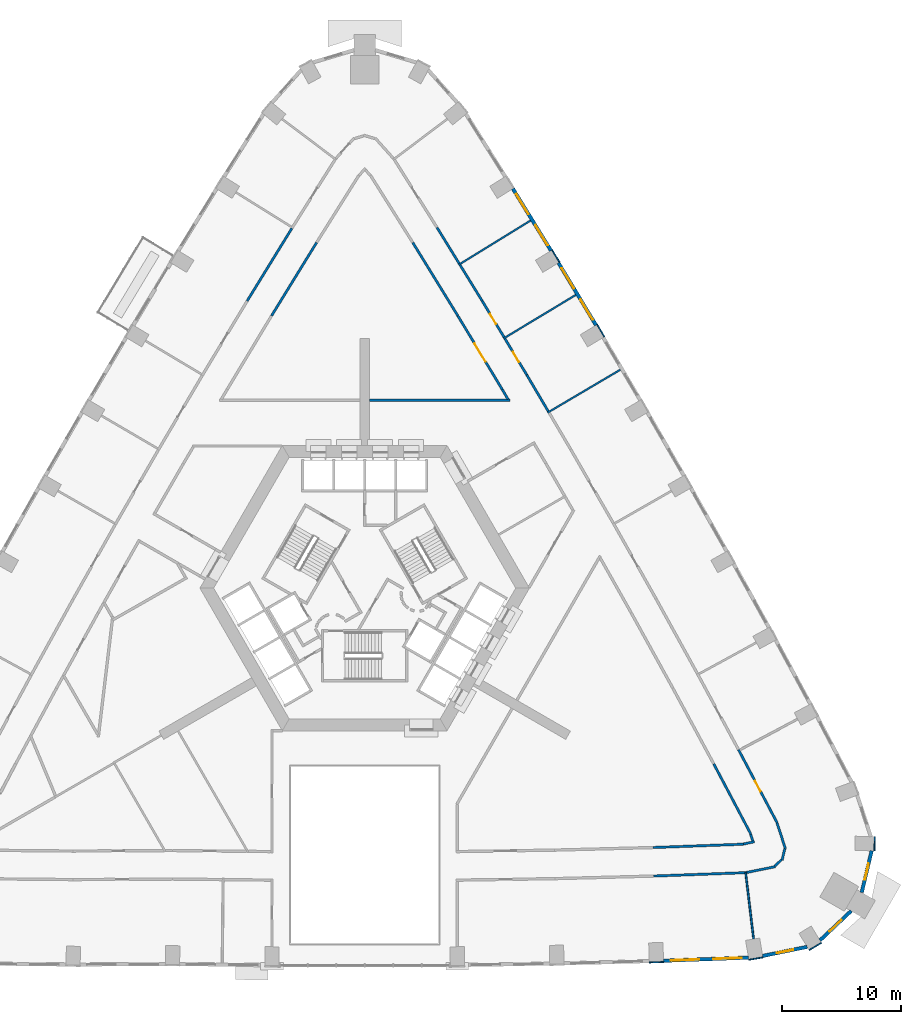
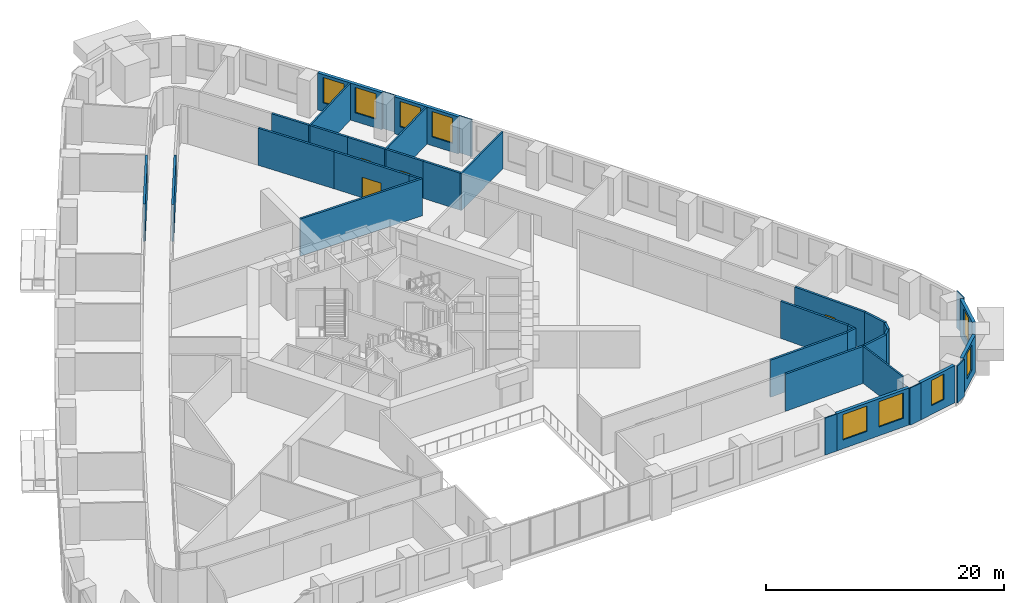
# One storey, part 10 of 16: 37 walls, 9 windows, 4 doors, 13 openings.
"""IFC4 building model written with IfcOpenShell, lengths in metres."""

from ifc_helpers import new_model, si_unit, direction, frame, frame_2d, origin, place, context, subcontext, project, spatial, rectangle, extrude, material, layer, layer_set, type_object, element, fill, save


model = new_model("IFC4")

# Units and contexts
model_context = context("Model", 3, precision=1e-05, world=origin(), true_north=direction((0.0, 1.0)))
body_context = subcontext(model_context, "Body", "Model", "MODEL_VIEW")
ifc_project = project(units=[si_unit("LENGTHUNIT", "METRE"), si_unit("AREAUNIT", "SQUARE_METRE"), si_unit("VOLUMEUNIT", "CUBIC_METRE"), si_unit("PLANEANGLEUNIT", "RADIAN"), si_unit("MASSUNIT", "GRAM", prefix="KILO")], contexts=[model_context])

# Site, building, storey
site_placement = place(None, origin())
site = spatial("IfcSite", under=ifc_project, at=site_placement, CompositionType="ELEMENT")
building_placement = place(site_placement, origin())
building = spatial("IfcBuilding", under=site, at=building_placement, Name="Entoto Arch Interchange Tower", CompositionType="ELEMENT")
storey_placement = place(building_placement, frame((0.0, 0.0, 68.60009765625)))
storey = spatial("IfcBuildingStorey", under=building, at=storey_placement, Name="L14", CompositionType="ELEMENT", Elevation=68.60009765625)

# Walls
ifc_material_1 = material(Name="Gypsum board partition on steel studs", Category="steel")
ifc_layer_1 = layer(ifc_material_1, 0.14990234375)
ifc_layer_set_1 = layer_set([ifc_layer_1], Name="Gypsum board partition on steel studs")
wall_type_1 = type_object("IfcWallType", Name="PARTITION 150", PredefinedType="PARTITIONING", material=ifc_layer_set_1)
wall_1_placement = place(storey_placement, frame((32.041015625, -21.431884765625, 0.0), z_axis=(0.0, 0.0, 1.0), x_axis=(0.118848018273, -0.992912457648, 0.0)))
element("IfcWall", 1, at=wall_1_placement, inside=storey, type_object=wall_type_1, Name="wall:L14:p134", PredefinedType="PARTITIONING", context=body_context, shape_type="SweptSolid", body=[
    extrude(rectangle(XDim=5.60400390625, YDim=0.14990234375, at=frame_2d((2.802001953125, 0.0))), origin(), (0.0, 0.0, 1.0), 3.7998046875),
])
wall_2_placement = place(storey_placement, frame((15.387939453125, 17.260986328125, 0.0), z_axis=(0.0, 0.0, 1.0), x_axis=(0.861189945173, 0.50828326584, 0.0)))
element("IfcWall", 2, at=wall_2_placement, inside=storey, type_object=wall_type_1, Name="wall:L14:p138", PredefinedType="PARTITIONING", context=body_context, shape_type="SweptSolid", body=[
    extrude(rectangle(XDim=7.1005859375, YDim=0.14990234375, at=frame_2d((3.55029296875, 0.0))), origin(), (0.0, 0.0, 1.0), 3.7998046875),
])
wall_3_placement = place(storey_placement, frame((11.672119140625, 23.492919921875, 0.0), z_axis=(0.0, 0.0, 1.0), x_axis=(0.856462653555, 0.516208991656, 0.0)))
element("IfcWall", 3, at=wall_3_placement, inside=storey, type_object=wall_type_1, Name="wall:L14:p139", PredefinedType="PARTITIONING", context=body_context, shape_type="SweptSolid", body=[
    extrude(rectangle(XDim=7.099853515625, YDim=0.14990234375, at=frame_2d((3.5498046875, 0.0))), origin(), (0.0, 0.0, 1.0), 3.7998046875),
])
wall_4_placement = place(storey_placement, frame((7.89697265625, 29.68994140625, 0.0), z_axis=(0.0, 0.0, 1.0), x_axis=(0.851604009471, 0.524185664677, 0.0)))
element("IfcWall", 4, at=wall_4_placement, inside=storey, type_object=wall_type_1, Name="wall:L14:p140", PredefinedType="PARTITIONING", context=body_context, shape_type="SweptSolid", body=[
    extrude(rectangle(XDim=7.100830078125, YDim=0.14990234375, at=frame_2d((3.55029296875, 0.0))), origin(), (0.0, 0.0, 1.0), 3.7998046875),
])
ifc_layer_2 = layer(ifc_material_1, 0.199951171875)
ifc_layer_set_2 = layer_set([ifc_layer_2], Name="Gypsum board partition on steel studs")
wall_type_2 = type_object("IfcWallType", Name="PARTITION 200", PredefinedType="PARTITIONING", material=ifc_layer_set_2)
wall_5_placement = place(storey_placement, frame((12.053955078125, 18.385986328125, 0.0), z_axis=(0.0, 0.0, 1.0), x_axis=(-0.508048285953, 0.861328589529, 0.0)))
element("IfcWall", 5, at=wall_5_placement, inside=storey, type_object=wall_type_2, Name="wall:L14:p008", PredefinedType="PARTITIONING", context=body_context, shape_type="SweptSolid", body=[
    extrude(rectangle(XDim=0.954345703125, YDim=0.199951171875, at=frame_2d((0.47705078125, 0.0))), origin(), (0.0, 0.0, 1.0), 3.7998046875),
])

# Wall, opening, door
wall_6_placement = place(storey_placement, frame((11.569091796875, 19.2080078125, 0.0), z_axis=(0.0, 0.0, 1.0), x_axis=(-0.516172233954, 0.85648480716, 0.0)))
wall_6 = element("IfcWall", 6, at=wall_6_placement, inside=storey, type_object=wall_type_2, Name="wall:L14:p009", PredefinedType="PARTITIONING", context=body_context, shape_type="SweptSolid", body=[
    extrude(rectangle(XDim=7.234375, YDim=0.199951171875, at=frame_2d((3.6171875, 0.0))), origin(), (0.0, 0.0, 1.0), 3.7998046875),
])
opening_1_placement = place(wall_6_placement, frame((2.717041015625, 0.0, 0.0)))
opening_1 = element("IfcOpeningElement", 7, at=opening_1_placement, cuts=wall_6, Name="Opening L14-D20", PredefinedType="OPENING", context=body_context, shape_type="SweptSolid", body=[
    extrude(rectangle(XDim=1.800048828125, YDim=2.10009765625, at=frame_2d((0.89990234375, 1.050048828125))), frame((0.0, 0.10986328125, 0.0), z_axis=(0.0, -1.0, 0.0), x_axis=(1.0, 0.0, 0.0)), (0.0, 0.0, 1.0), 0.219970703125),
])
ifc_material_2 = material(Name="Timber door leaf in Steel S235 frame", Category="steel")
door_type_1 = type_object("IfcDoorType", Name="DOOR DD-18 1800x2100", OperationType="DOUBLE_DOOR_SINGLE_SWING", PredefinedType="DOOR", material=ifc_material_2)
door_1_placement = place(opening_1_placement, origin())
door_1 = element("IfcDoor", 8, at=door_1_placement, inside=storey, type_object=door_type_1, Name="door:L14:20", OperationType="DOUBLE_DOOR_SINGLE_SWING", OverallHeight=2.10009765625, OverallWidth=1.800048828125, PredefinedType="DOOR", context=body_context, shape_type="SweptSolid", body=[
    extrude(rectangle(XDim=1.800048828125, YDim=2.10009765625, at=frame_2d((0.89990234375, 1.050048828125))), frame((0.0, 0.02490234375, 0.0), z_axis=(0.0, -1.0, 0.0), x_axis=(1.0, 0.0, 0.0)), (0.0, 0.0, 1.0), 0.050048828125),
])
fill(opening_1, door_1)

# Walls
for number, where, z_axis, x_axis, name in (
    (9, (7.8349609375, 25.404052734375, 0.0), (0.0, 0.0, 1.0), (-0.524225471951, 0.851579505717, 0.0), "wall:L14:p010"),
    (10, (-4.04296875, 31.56396484375, 0.0), (0.0, 0.0, 1.0), (-0.524225471951, -0.851579505717, 0.0), "wall:L14:p015"),
):
    element("IfcWall", number, at=place(storey_placement, frame(where, z_axis=z_axis, x_axis=x_axis)), inside=storey, type_object=wall_type_2, Name=name, PredefinedType="PARTITIONING", context=body_context, shape_type="SweptSolid", body=[
        extrude(rectangle(XDim=7.2333984375, YDim=0.199951171875, at=frame_2d((3.61669921875, 0.0))), origin(), (0.0, 0.0, 1.0), 3.7998046875),
    ])
wall_7_placement = place(storey_placement, frame((24.235107421875, -19.318115234375, 0.0), z_axis=(0.0, 0.0, 1.0), x_axis=(0.999320698485, 0.036852972476, 0.0)))
element("IfcWall", 11, at=wall_7_placement, inside=storey, type_object=wall_type_2, Name="wall:L14:p020", PredefinedType="PARTITIONING", context=body_context, shape_type="SweptSolid", body=[
    extrude(rectangle(XDim=7.625, YDim=0.199951171875, at=frame_2d((3.8125, 0.0))), origin(), (0.0, 0.0, 1.0), 3.7998046875),
])
wall_8_placement = place(storey_placement, frame((31.85302734375, -19.02099609375, 0.0), z_axis=(0.0, 0.0, 1.0), x_axis=(0.979793671436, 0.200010903236, 0.0)))
element("IfcWall", 12, at=wall_8_placement, inside=storey, type_object=wall_type_2, Name="wall:L14:p021", PredefinedType="PARTITIONING", context=body_context, shape_type="SweptSolid", body=[
    extrude(rectangle(XDim=0.93994140625, YDim=0.199951171875, at=frame_2d((0.469970703125, 0.0))), origin(), (0.0, 0.0, 1.0), 3.7998046875),
])
wall_9_placement = place(storey_placement, frame((32.64501953125, -18.758056640625, 0.0), z_axis=(0.0, 0.0, 1.0), x_axis=(-0.311683867653, 0.950185859001, 0.0)))
element("IfcWall", 13, at=wall_9_placement, inside=storey, type_object=wall_type_2, Name="wall:L14:p022", PredefinedType="PARTITIONING", context=body_context, shape_type="SweptSolid", body=[
    extrude(rectangle(XDim=0.596923828125, YDim=0.199951171875, at=frame_2d((0.29833984375, 0.0))), origin(), (0.0, 0.0, 1.0), 3.7998046875),
])
wall_10_placement = place(storey_placement, frame((32.47509765625, -18.18505859375, 0.0), z_axis=(0.0, 0.0, 1.0), x_axis=(-0.467123190417, 0.884192244353, 0.0)))
element("IfcWall", 14, at=wall_10_placement, inside=storey, type_object=wall_type_2, Name="wall:L14:p023", PredefinedType="PARTITIONING", context=body_context, shape_type="SweptSolid", body=[
    extrude(rectangle(XDim=6.67724609375, YDim=0.199951171875, at=frame_2d((3.338623046875, 0.0))), origin(), (0.0, 0.0, 1.0), 3.7998046875),
])
wall_11_placement = place(storey_placement, frame((32.14111328125, -21.427978515625, 0.0), z_axis=(0.0, 0.0, 1.0), x_axis=(-0.999324021202, -0.036762761723, 0.0)))
element("IfcWall", 15, at=wall_11_placement, inside=storey, type_object=wall_type_2, Name="wall:L14:p043", PredefinedType="PARTITIONING", context=body_context, shape_type="SweptSolid", body=[
    extrude(rectangle(XDim=7.83642578125, YDim=0.199951171875, at=frame_2d((3.918212890625, 0.0))), origin(), (0.0, 0.0, 1.0), 3.7998046875),
])

# Wall, opening, door
wall_12_placement = place(storey_placement, frame((31.43798828125, -11.0830078125, 0.0), z_axis=(0.0, 0.0, 1.0), x_axis=(0.467077609314, -0.884216323575, 0.0)))
wall_12 = element("IfcWall", 16, at=wall_12_placement, inside=storey, type_object=wall_type_2, Name="wall:L14:p046", PredefinedType="PARTITIONING", context=body_context, shape_type="SweptSolid", body=[
    extrude(rectangle(XDim=6.966552734375, YDim=0.199951171875, at=frame_2d((3.4833984375, 0.0))), origin(), (0.0, 0.0, 1.0), 3.7998046875),
])
opening_2_placement = place(wall_12_placement, frame((2.98291015625, 0.0, 0.0)))
opening_2 = element("IfcOpeningElement", 17, at=opening_2_placement, cuts=wall_12, Name="Opening L14-D02", PredefinedType="OPENING", context=body_context, shape_type="SweptSolid", body=[
    extrude(rectangle(XDim=1.0, YDim=2.10009765625, at=frame_2d((0.5, 1.050048828125))), frame((0.0, 0.10986328125, 0.0), z_axis=(0.0, -1.0, 0.0), x_axis=(1.0, 0.0, 0.0)), (0.0, 0.0, 1.0), 0.219970703125),
])
door_type_2 = type_object("IfcDoorType", Name="DOOR DS-10 1000x2100", OperationType="SINGLE_SWING_LEFT", PredefinedType="DOOR", material=ifc_material_2)
door_2_placement = place(opening_2_placement, origin())
door_2 = element("IfcDoor", 18, at=door_2_placement, inside=storey, type_object=door_type_2, Name="door:L14:02", OperationType="SINGLE_SWING_LEFT", OverallHeight=2.10009765625, OverallWidth=1.0, PredefinedType="DOOR", context=body_context, shape_type="SweptSolid", body=[
    extrude(rectangle(XDim=1.0, YDim=2.10009765625, at=frame_2d((0.5, 1.050048828125))), frame((0.0, 0.02490234375, 0.0), z_axis=(0.0, -1.0, 0.0), x_axis=(1.0, 0.0, 0.0)), (0.0, 0.0, 1.0), 0.050048828125),
])
fill(opening_2, door_2)

# Walls
wall_13_placement = place(storey_placement, frame((34.676025390625, -17.25, 0.0), z_axis=(0.0, 0.0, 1.0), x_axis=(0.311855014756, -0.950129701552, 0.0)))
element("IfcWall", 19, at=wall_13_placement, inside=storey, type_object=wall_type_2, Name="wall:L14:p047", PredefinedType="PARTITIONING", context=body_context, shape_type="SweptSolid", body=[
    extrude(rectangle(XDim=2.27978515625, YDim=0.199951171875, at=frame_2d((1.139892578125, 0.0))), origin(), (0.0, 0.0, 1.0), 3.7998046875),
])
wall_14_placement = place(storey_placement, frame((35.3330078125, -19.4189453125, 0.0), z_axis=(0.0, 0.0, 1.0), x_axis=(-0.231107564644, -0.97292820576, 0.0)))
element("IfcWall", 20, at=wall_14_placement, inside=storey, type_object=wall_type_2, Name="wall:L14:p048", PredefinedType="PARTITIONING", context=body_context, shape_type="SweptSolid", body=[
    extrude(rectangle(XDim=0.986572265625, YDim=0.199951171875, at=frame_2d((0.4931640625, 0.0))), origin(), (0.0, 0.0, 1.0), 3.7998046875),
])
wall_15_placement = place(storey_placement, frame((35.055908203125, -20.35009765625, 0.0), z_axis=(0.0, 0.0, 1.0), x_axis=(-0.72702197617, -0.686614190186, 0.0)))
element("IfcWall", 21, at=wall_15_placement, inside=storey, type_object=wall_type_2, Name="wall:L14:p049", PredefinedType="PARTITIONING", context=body_context, shape_type="SweptSolid", body=[
    extrude(rectangle(XDim=0.767333984375, YDim=0.199951171875, at=frame_2d((0.3837890625, 0.0))), origin(), (0.0, 0.0, 1.0), 3.7998046875),
])
wall_16_placement = place(storey_placement, frame((34.52294921875, -20.926025390625, 0.0), z_axis=(0.0, 0.0, 1.0), x_axis=(-0.979840552367, -0.199781110063, 0.0)))
element("IfcWall", 22, at=wall_16_placement, inside=storey, type_object=wall_type_2, Name="wall:L14:p050", PredefinedType="PARTITIONING", context=body_context, shape_type="SweptSolid", body=[
    extrude(rectangle(XDim=2.43310546875, YDim=0.199951171875, at=frame_2d((1.216552734375, 0.0))), origin(), (0.0, 0.0, 1.0), 3.7998046875),
])

# Wall, opening, door
wall_17_placement = place(storey_placement, frame((11.7958984375, 23.48095703125, 0.0), z_axis=(0.0, 0.0, 1.0), x_axis=(0.516070934647, -0.8565458484, 0.0)))
wall_17 = element("IfcWall", 23, at=wall_17_placement, inside=storey, type_object=wall_type_2, Name="wall:L14:p056", PredefinedType="PARTITIONING", context=body_context, shape_type="SweptSolid", body=[
    extrude(rectangle(XDim=3.5537109375, YDim=0.199951171875, at=frame_2d((1.77685546875, 0.0))), origin(), (0.0, 0.0, 1.0), 3.7998046875),
])
opening_3_placement = place(wall_17_placement, frame((1.277099609375, 0.0, 0.0)))
opening_3 = element("IfcOpeningElement", 24, at=opening_3_placement, cuts=wall_17, Name="Opening L14-D06", PredefinedType="OPENING", context=body_context, shape_type="SweptSolid", body=[
    extrude(rectangle(XDim=1.0, YDim=2.10009765625, at=frame_2d((0.5, 1.050048828125))), frame((0.0, 0.10986328125, 0.0), z_axis=(0.0, -1.0, 0.0), x_axis=(1.0, 0.0, 0.0)), (0.0, 0.0, 1.0), 0.219970703125),
])
door_3_placement = place(opening_3_placement, origin())
door_3 = element("IfcDoor", 25, at=door_3_placement, inside=storey, type_object=door_type_2, Name="door:L14:06", OperationType="SINGLE_SWING_LEFT", OverallHeight=2.10009765625, OverallWidth=1.0, PredefinedType="DOOR", context=body_context, shape_type="SweptSolid", body=[
    extrude(rectangle(XDim=1.0, YDim=2.10009765625, at=frame_2d((0.5, 1.050048828125))), frame((0.0, 0.02490234375, 0.0), z_axis=(0.0, -1.0, 0.0), x_axis=(1.0, 0.0, 0.0)), (0.0, 0.0, 1.0), 0.050048828125),
])
fill(opening_3, door_3)

# Walls
wall_18_placement = place(storey_placement, frame((13.6298828125, 20.43701171875, 0.0), z_axis=(0.0, 0.0, 1.0), x_axis=(0.508298695021, -0.861180838523, 0.0)))
element("IfcWall", 26, at=wall_18_placement, inside=storey, type_object=wall_type_2, Name="wall:L14:p057", PredefinedType="PARTITIONING", context=body_context, shape_type="SweptSolid", body=[
    extrude(rectangle(XDim=3.55322265625, YDim=0.199951171875, at=frame_2d((1.776611328125, 0.0))), origin(), (0.0, 0.0, 1.0), 3.7998046875),
])
wall_19_placement = place(storey_placement, frame((8.02197265625, 29.677978515625, 0.0), z_axis=(0.0, 0.0, 1.0), x_axis=(0.524093591744, -0.851660676029, 0.0)))
element("IfcWall", 27, at=wall_19_placement, inside=storey, type_object=wall_type_2, Name="wall:L14:p058", PredefinedType="PARTITIONING", context=body_context, shape_type="SweptSolid", body=[
    extrude(rectangle(XDim=3.552978515625, YDim=0.199951171875, at=frame_2d((1.7763671875, 0.0))), origin(), (0.0, 0.0, 1.0), 3.7998046875),
])

# Wall, opening, door
wall_20_placement = place(storey_placement, frame((9.884033203125, 26.652099609375, 0.0), z_axis=(0.0, 0.0, 1.0), x_axis=(0.516162051318, -0.856490943781, 0.0)))
wall_20 = element("IfcWall", 28, at=wall_20_placement, inside=storey, type_object=wall_type_2, Name="wall:L14:p059", PredefinedType="PARTITIONING", context=body_context, shape_type="SweptSolid", body=[
    extrude(rectangle(XDim=3.55322265625, YDim=0.199951171875, at=frame_2d((1.776611328125, 0.0))), origin(), (0.0, 0.0, 1.0), 3.7998046875),
])
opening_4_placement = place(wall_20_placement, frame((1.277099609375, 0.0, 0.0)))
opening_4 = element("IfcOpeningElement", 29, at=opening_4_placement, cuts=wall_20, Name="Opening L14-D07", PredefinedType="OPENING", context=body_context, shape_type="SweptSolid", body=[
    extrude(rectangle(XDim=1.0, YDim=2.10009765625, at=frame_2d((0.5, 1.050048828125))), frame((0.0, 0.10986328125, 0.0), z_axis=(0.0, -1.0, 0.0), x_axis=(1.0, 0.0, 0.0)), (0.0, 0.0, 1.0), 0.219970703125),
])
door_4_placement = place(opening_4_placement, origin())
door_4 = element("IfcDoor", 30, at=door_4_placement, inside=storey, type_object=door_type_2, Name="door:L14:07", OperationType="SINGLE_SWING_LEFT", OverallHeight=2.10009765625, OverallWidth=1.0, PredefinedType="DOOR", context=body_context, shape_type="SweptSolid", body=[
    extrude(rectangle(XDim=1.0, YDim=2.10009765625, at=frame_2d((0.5, 1.050048828125))), frame((0.0, 0.02490234375, 0.0), z_axis=(0.0, -1.0, 0.0), x_axis=(1.0, 0.0, 0.0)), (0.0, 0.0, 1.0), 0.050048828125),
])
fill(opening_4, door_4)

# Walls
wall_21_placement = place(storey_placement, frame((6.0810546875, 32.83203125, 0.0), z_axis=(0.0, 0.0, 1.0), x_axis=(0.524062922014, -0.851679548756, 0.0)))
element("IfcWall", 31, at=wall_21_placement, inside=storey, type_object=wall_type_2, Name="wall:L14:p061", PredefinedType="PARTITIONING", context=body_context, shape_type="SweptSolid", body=[
    extrude(rectangle(XDim=3.55322265625, YDim=0.199951171875, at=frame_2d((1.776611328125, 0.0))), origin(), (0.0, 0.0, 1.0), 3.7998046875),
])
wall_22_placement = place(storey_placement, frame((-9.884033203125, 26.652099609375, 0.0), z_axis=(0.0, 0.0, 1.0), x_axis=(0.524182788618, 0.851605779758, 0.0)))
element("IfcWall", 32, at=wall_22_placement, inside=storey, type_object=wall_type_2, Name="wall:L14:p068", PredefinedType="PARTITIONING", context=body_context, shape_type="SweptSolid", body=[
    extrude(rectangle(XDim=7.180419921875, YDim=0.199951171875, at=frame_2d((3.59033203125, 0.0))), origin(), (0.0, 0.0, 1.0), 3.7998046875),
])
wall_23_placement = place(storey_placement, frame((0.39990234375, 18.300048828125, 0.0), z_axis=(0.0, 0.0, 1.0), x_axis=(1.0, 0.0, 0.0)))
element("IfcWall", 33, at=wall_23_placement, inside=storey, type_object=wall_type_2, Name="wall:L14:p121", PredefinedType="PARTITIONING", context=body_context, shape_type="SweptSolid", body=[
    extrude(rectangle(XDim=11.80419921875, YDim=0.199951171875, at=frame_2d((5.902099609375, 0.0))), origin(), (0.0, 0.0, 1.0), 3.7998046875),
])

# Wall, openings, windows
ifc_material_3 = material(Name="Welded tuff (ignimbrite) cladding, warm buff", Category="masonry")
ifc_layer_3 = layer(ifc_material_3, 0.300048828125)
ifc_layer_set_3 = layer_set([ifc_layer_3], Name="Welded tuff (ignimbrite) cladding, warm buff")
wall_type_3 = type_object("IfcWallType", Name="STONE INFILL WALL 300", PredefinedType="STANDARD", material=ifc_layer_set_3)
wall_24_placement = place(storey_placement, frame((25.134033203125, -28.841064453125, 0.0), z_axis=(0.0, 0.0, 1.0), x_axis=(0.999322852286, 0.036794522671, 0.0)))
wall_24 = element("IfcWall", 34, at=wall_24_placement, inside=storey, type_object=wall_type_3, Name="Facade wall S-07 L14", PredefinedType="STANDARD", context=body_context, shape_type="SweptSolid", body=[
    extrude(rectangle(XDim=7.15283203125, YDim=0.300048828125, at=frame_2d((3.576416015625, 0.0))), origin(), (0.0, 0.0, 1.0), 3.7998046875),
])
opening_5_placement = place(wall_24_placement, frame((0.587890625, 0.0, 0.89990234375)))
opening_5 = element("IfcOpeningElement", 35, at=opening_5_placement, cuts=wall_24, Name="Opening WO-A", PredefinedType="OPENING", context=body_context, shape_type="SweptSolid", body=[
    extrude(rectangle(XDim=2.39990234375, YDim=2.60009765625, at=frame_2d((1.199951171875, 1.300048828125))), frame((0.0, 0.16015625, 0.0), z_axis=(0.0, -1.0, 0.0), x_axis=(1.0, 0.0, 0.0)), (0.0, 0.0, 1.0), 0.320068359375),
])
opening_6_placement = place(wall_24_placement, frame((4.1650390625, 0.0, 0.89990234375)))
opening_6 = element("IfcOpeningElement", 36, at=opening_6_placement, cuts=wall_24, Name="Opening WO-A", PredefinedType="OPENING", context=body_context, shape_type="SweptSolid", body=[
    extrude(rectangle(XDim=2.39990234375, YDim=2.60009765625, at=frame_2d((1.199951171875, 1.300048828125))), frame((0.0, 0.16015625, 0.0), z_axis=(0.0, -1.0, 0.0), x_axis=(1.0, 0.0, 0.0)), (0.0, 0.0, 1.0), 0.320068359375),
])
ifc_material_4 = material(Name="Clear glass, low-e double glazed", Category="glass")
window_type_1 = type_object("IfcWindowType", Name="WINDOW WO-A 2400x2600", PartitioningType="DOUBLE_PANEL_VERTICAL", PredefinedType="WINDOW", material=ifc_material_4)
window_1_placement = place(opening_5_placement, origin())
window_1 = element("IfcWindow", 37, at=window_1_placement, inside=storey, type_object=window_type_1, Name="Window WO-A S-07 L14", OverallHeight=2.60009765625, OverallWidth=2.39990234375, PartitioningType="SINGLE_PANEL", PredefinedType="WINDOW", context=body_context, shape_type="SweptSolid", body=[
    extrude(rectangle(XDim=2.39990234375, YDim=2.60009765625, at=frame_2d((1.199951171875, 1.300048828125))), frame((0.0, 0.030029296875, 0.0), z_axis=(0.0, -1.0, 0.0), x_axis=(1.0, 0.0, 0.0)), (0.0, 0.0, 1.0), 0.06005859375),
])
fill(opening_5, window_1)
window_2_placement = place(opening_6_placement, origin())
window_2 = element("IfcWindow", 38, at=window_2_placement, inside=storey, type_object=window_type_1, Name="Window WO-A S-07 L14", OverallHeight=2.60009765625, OverallWidth=2.39990234375, PartitioningType="SINGLE_PANEL", PredefinedType="WINDOW", context=body_context, shape_type="SweptSolid", body=[
    extrude(rectangle(XDim=2.39990234375, YDim=2.60009765625, at=frame_2d((1.199951171875, 1.300048828125))), frame((0.0, 0.030029296875, 0.0), z_axis=(0.0, -1.0, 0.0), x_axis=(1.0, 0.0, 0.0)), (0.0, 0.0, 1.0), 0.06005859375),
])
fill(opening_6, window_2)

# Wall, opening, window
wall_25_placement = place(storey_placement, frame((33.472900390625, -28.43701171875, 0.0), z_axis=(0.0, 0.0, 1.0), x_axis=(0.979824229846, 0.199861148317, 0.0)))
wall_25 = element("IfcWall", 39, at=wall_25_placement, inside=storey, type_object=wall_type_3, Name="Facade wall SE-01 L14", PredefinedType="STANDARD", context=body_context, shape_type="SweptSolid", body=[
    extrude(rectangle(XDim=3.822265625, YDim=0.300048828125, at=frame_2d((1.9111328125, 0.0))), origin(), (0.0, 0.0, 1.0), 3.7998046875),
])
opening_7_placement = place(wall_25_placement, frame((1.2109375, 0.0, 0.89990234375)))
opening_7 = element("IfcOpeningElement", 40, at=opening_7_placement, cuts=wall_25, Name="Opening WO-B", PredefinedType="OPENING", context=body_context, shape_type="SweptSolid", body=[
    extrude(rectangle(XDim=1.39990234375, YDim=2.60009765625, at=frame_2d((0.699951171875, 1.300048828125))), frame((0.0, 0.16015625, 0.0), z_axis=(0.0, -1.0, 0.0), x_axis=(1.0, 0.0, 0.0)), (0.0, 0.0, 1.0), 0.320068359375),
])
window_type_2 = type_object("IfcWindowType", Name="WINDOW WO-B 1400x2600", PartitioningType="DOUBLE_PANEL_VERTICAL", PredefinedType="WINDOW", material=ifc_material_4)
window_3_placement = place(opening_7_placement, origin())
window_3 = element("IfcWindow", 41, at=window_3_placement, inside=storey, type_object=window_type_2, Name="Window WO-B SE-01 L14", OverallHeight=2.60009765625, OverallWidth=1.39990234375, PartitioningType="SINGLE_PANEL", PredefinedType="WINDOW", context=body_context, shape_type="SweptSolid", body=[
    extrude(rectangle(XDim=1.39990234375, YDim=2.60009765625, at=frame_2d((0.699951171875, 1.300048828125))), frame((0.0, 0.030029296875, 0.0), z_axis=(0.0, -1.0, 0.0), x_axis=(1.0, 0.0, 0.0)), (0.0, 0.0, 1.0), 0.06005859375),
])
fill(opening_7, window_3)

wall_26_placement = place(storey_placement, frame((38.2900390625, -27.1298828125, 0.0), z_axis=(0.0, 0.0, 1.0), x_axis=(0.727082698591, 0.686549888508, 0.0)))
wall_26 = element("IfcWall", 42, at=wall_26_placement, inside=storey, type_object=wall_type_3, Name="Facade wall SE-02 L14", PredefinedType="STANDARD", context=body_context, shape_type="SweptSolid", body=[
    extrude(rectangle(XDim=3.601806640625, YDim=0.300048828125, at=frame_2d((1.80078125, 0.0))), origin(), (0.0, 0.0, 1.0), 3.7998046875),
])
opening_8_placement = place(wall_26_placement, frame((1.10107421875, 0.0, 0.89990234375)))
opening_8 = element("IfcOpeningElement", 43, at=opening_8_placement, cuts=wall_26, Name="Opening WO-B", PredefinedType="OPENING", context=body_context, shape_type="SweptSolid", body=[
    extrude(rectangle(XDim=1.39990234375, YDim=2.60009765625, at=frame_2d((0.699951171875, 1.300048828125))), frame((0.0, 0.16015625, 0.0), z_axis=(0.0, -1.0, 0.0), x_axis=(1.0, 0.0, 0.0)), (0.0, 0.0, 1.0), 0.320068359375),
])
window_4_placement = place(opening_8_placement, origin())
window_4 = element("IfcWindow", 44, at=window_4_placement, inside=storey, type_object=window_type_2, Name="Window WO-B SE-02 L14", OverallHeight=2.60009765625, OverallWidth=1.39990234375, PartitioningType="SINGLE_PANEL", PredefinedType="WINDOW", context=body_context, shape_type="SweptSolid", body=[
    extrude(rectangle(XDim=1.39990234375, YDim=2.60009765625, at=frame_2d((0.699951171875, 1.300048828125))), frame((0.0, 0.030029296875, 0.0), z_axis=(0.0, -1.0, 0.0), x_axis=(1.0, 0.0, 0.0)), (0.0, 0.0, 1.0), 0.06005859375),
])
fill(opening_8, window_4)

wall_27_placement = place(storey_placement, frame((41.80810546875, -23.10009765625, 0.0), z_axis=(0.0, 0.0, 1.0), x_axis=(0.230893603767, 0.972979004778, 0.0)))
wall_27 = element("IfcWall", 45, at=wall_27_placement, inside=storey, type_object=wall_type_3, Name="Facade wall SE-03 L14", PredefinedType="STANDARD", context=body_context, shape_type="SweptSolid", body=[
    extrude(rectangle(XDim=3.6025390625, YDim=0.300048828125, at=frame_2d((1.80126953125, 0.0))), origin(), (0.0, 0.0, 1.0), 3.7998046875),
])
opening_9_placement = place(wall_27_placement, frame((1.10107421875, 0.0, 0.89990234375)))
opening_9 = element("IfcOpeningElement", 46, at=opening_9_placement, cuts=wall_27, Name="Opening WO-B", PredefinedType="OPENING", context=body_context, shape_type="SweptSolid", body=[
    extrude(rectangle(XDim=1.39990234375, YDim=2.60009765625, at=frame_2d((0.699951171875, 1.300048828125))), frame((0.0, 0.16015625, 0.0), z_axis=(0.0, -1.0, 0.0), x_axis=(1.0, 0.0, 0.0)), (0.0, 0.0, 1.0), 0.320068359375),
])
window_5_placement = place(opening_9_placement, origin())
window_5 = element("IfcWindow", 47, at=window_5_placement, inside=storey, type_object=window_type_2, Name="Window WO-B SE-03 L14", OverallHeight=2.60009765625, OverallWidth=1.39990234375, PartitioningType="SINGLE_PANEL", PredefinedType="WINDOW", context=body_context, shape_type="SweptSolid", body=[
    extrude(rectangle(XDim=1.39990234375, YDim=2.60009765625, at=frame_2d((0.699951171875, 1.300048828125))), frame((0.0, 0.030029296875, 0.0), z_axis=(0.0, -1.0, 0.0), x_axis=(1.0, 0.0, 0.0)), (0.0, 0.0, 1.0), 0.06005859375),
])
fill(opening_9, window_5)

# Wall, openings, windows
wall_28_placement = place(storey_placement, frame((19.4619140625, 24.612060546875, 0.0), z_axis=(0.0, 0.0, 1.0), x_axis=(-0.516147563478, 0.856499674674, 0.0)))
wall_28 = element("IfcWall", 48, at=wall_28_placement, inside=storey, type_object=wall_type_3, Name="Facade wall NE-07 L14", PredefinedType="STANDARD", context=body_context, shape_type="SweptSolid", body=[
    extrude(rectangle(XDim=6.1259765625, YDim=0.300048828125, at=frame_2d((3.06298828125, 0.0))), origin(), (0.0, 0.0, 1.0), 3.7998046875),
])
opening_10_placement = place(wall_28_placement, frame((0.531982421875, 0.0, 0.89990234375)))
opening_10 = element("IfcOpeningElement", 49, at=opening_10_placement, cuts=wall_28, Name="Opening WO-C", PredefinedType="OPENING", context=body_context, shape_type="SweptSolid", body=[
    extrude(rectangle(XDim=2.0, YDim=2.60009765625, at=frame_2d((1.0, 1.300048828125))), frame((0.0, 0.16015625, 0.0), z_axis=(0.0, -1.0, 0.0), x_axis=(1.0, 0.0, 0.0)), (0.0, 0.0, 1.0), 0.320068359375),
])
opening_11_placement = place(wall_28_placement, frame((3.594970703125, 0.0, 0.89990234375)))
opening_11 = element("IfcOpeningElement", 50, at=opening_11_placement, cuts=wall_28, Name="Opening WO-C", PredefinedType="OPENING", context=body_context, shape_type="SweptSolid", body=[
    extrude(rectangle(XDim=2.0, YDim=2.60009765625, at=frame_2d((1.0, 1.300048828125))), frame((0.0, 0.16015625, 0.0), z_axis=(0.0, -1.0, 0.0), x_axis=(1.0, 0.0, 0.0)), (0.0, 0.0, 1.0), 0.320068359375),
])
window_type_3 = type_object("IfcWindowType", Name="WINDOW WO-C 2000x2600", PartitioningType="DOUBLE_PANEL_VERTICAL", PredefinedType="WINDOW", material=ifc_material_4)
window_6_placement = place(opening_10_placement, origin())
window_6 = element("IfcWindow", 51, at=window_6_placement, inside=storey, type_object=window_type_3, Name="Window WO-C NE-07 L14", OverallHeight=2.60009765625, OverallWidth=2.0, PartitioningType="SINGLE_PANEL", PredefinedType="WINDOW", context=body_context, shape_type="SweptSolid", body=[
    extrude(rectangle(XDim=2.0, YDim=2.60009765625, at=frame_2d((1.0, 1.300048828125))), frame((0.0, 0.030029296875, 0.0), z_axis=(0.0, -1.0, 0.0), x_axis=(1.0, 0.0, 0.0)), (0.0, 0.0, 1.0), 0.06005859375),
])
fill(opening_10, window_6)
window_7_placement = place(opening_11_placement, origin())
window_7 = element("IfcWindow", 52, at=window_7_placement, inside=storey, type_object=window_type_3, Name="Window WO-C NE-07 L14", OverallHeight=2.60009765625, OverallWidth=2.0, PartitioningType="SINGLE_PANEL", PredefinedType="WINDOW", context=body_context, shape_type="SweptSolid", body=[
    extrude(rectangle(XDim=2.0, YDim=2.60009765625, at=frame_2d((1.0, 1.300048828125))), frame((0.0, 0.030029296875, 0.0), z_axis=(0.0, -1.0, 0.0), x_axis=(1.0, 0.0, 0.0)), (0.0, 0.0, 1.0), 0.06005859375),
])
fill(opening_11, window_7)

wall_29_placement = place(storey_placement, frame((15.677001953125, 30.882080078125, 0.0), z_axis=(0.0, 0.0, 1.0), x_axis=(-0.524239751329, 0.851570715282, 0.0)))
wall_29 = element("IfcWall", 53, at=wall_29_placement, inside=storey, type_object=wall_type_3, Name="Facade wall NE-08 L14", PredefinedType="STANDARD", context=body_context, shape_type="SweptSolid", body=[
    extrude(rectangle(XDim=6.125, YDim=0.300048828125, at=frame_2d((3.0625, 0.0))), origin(), (0.0, 0.0, 1.0), 3.7998046875),
])
opening_12_placement = place(wall_29_placement, frame((0.531005859375, 0.0, 0.89990234375)))
opening_12 = element("IfcOpeningElement", 54, at=opening_12_placement, cuts=wall_29, Name="Opening WO-C", PredefinedType="OPENING", context=body_context, shape_type="SweptSolid", body=[
    extrude(rectangle(XDim=2.0, YDim=2.60009765625, at=frame_2d((1.0, 1.300048828125))), frame((0.0, 0.16015625, 0.0), z_axis=(0.0, -1.0, 0.0), x_axis=(1.0, 0.0, 0.0)), (0.0, 0.0, 1.0), 0.320068359375),
])
opening_13_placement = place(wall_29_placement, frame((3.593994140625, 0.0, 0.89990234375)))
opening_13 = element("IfcOpeningElement", 55, at=opening_13_placement, cuts=wall_29, Name="Opening WO-C", PredefinedType="OPENING", context=body_context, shape_type="SweptSolid", body=[
    extrude(rectangle(XDim=2.0, YDim=2.60009765625, at=frame_2d((1.0, 1.300048828125))), frame((0.0, 0.16015625, 0.0), z_axis=(0.0, -1.0, 0.0), x_axis=(1.0, 0.0, 0.0)), (0.0, 0.0, 1.0), 0.320068359375),
])
window_8_placement = place(opening_12_placement, origin())
window_8 = element("IfcWindow", 56, at=window_8_placement, inside=storey, type_object=window_type_3, Name="Window WO-C NE-08 L14", OverallHeight=2.60009765625, OverallWidth=2.0, PartitioningType="SINGLE_PANEL", PredefinedType="WINDOW", context=body_context, shape_type="SweptSolid", body=[
    extrude(rectangle(XDim=2.0, YDim=2.60009765625, at=frame_2d((1.0, 1.300048828125))), frame((0.0, 0.030029296875, 0.0), z_axis=(0.0, -1.0, 0.0), x_axis=(1.0, 0.0, 0.0)), (0.0, 0.0, 1.0), 0.06005859375),
])
fill(opening_12, window_8)
window_9_placement = place(opening_13_placement, origin())
window_9 = element("IfcWindow", 57, at=window_9_placement, inside=storey, type_object=window_type_3, Name="Window WO-C NE-08 L14", OverallHeight=2.60009765625, OverallWidth=2.0, PartitioningType="SINGLE_PANEL", PredefinedType="WINDOW", context=body_context, shape_type="SweptSolid", body=[
    extrude(rectangle(XDim=2.0, YDim=2.60009765625, at=frame_2d((1.0, 1.300048828125))), frame((0.0, 0.030029296875, 0.0), z_axis=(0.0, -1.0, 0.0), x_axis=(1.0, 0.0, 0.0)), (0.0, 0.0, 1.0), 0.06005859375),
])
fill(opening_13, window_9)

# Walls
ifc_layer_4 = layer(ifc_material_3, 0.10009765625)
ifc_layer_set_4 = layer_set([ifc_layer_4], Name="Welded tuff (ignimbrite) cladding, warm buff")
wall_type_4 = type_object("IfcWallType", Name="STONE PIER CLADDING 100", PredefinedType="STANDARD", material=ifc_layer_set_4)
for number, where, z_axis, x_axis, name in (
    (58, (20.1650390625, 23.635009765625, 0.0), (0.0, 0.0, 1.0), (-0.513238760752, 0.858245870635, 0.0), "Stone pier NE07 L14"),
    (59, (16.388916015625, 29.912109375, 0.0), (0.0, 0.0, 1.0), (-0.521598117945, 0.853191305251, 0.0), "Stone pier NE08 L14"),
):
    element("IfcWall", number, at=place(storey_placement, frame(where, z_axis=z_axis, x_axis=x_axis)), inside=storey, type_object=wall_type_4, Name=name, PredefinedType="STANDARD", context=body_context, shape_type="SweptSolid", body=[
        extrude(rectangle(XDim=1.2001953125, YDim=0.10009765625, at=frame_2d((0.60009765625, 0.0))), origin(), (0.0, 0.0, 1.0), 3.7998046875),
    ])
for number, where, z_axis, x_axis, name in (
    (60, (23.93896484375, -28.98291015625, 0.0), (0.0, 0.0, 1.0), (0.999449640202, 0.033172529292, 0.0), "Stone pier S07 L14"),
    (61, (32.31103515625, -28.756103515625, 0.0), (0.0, 0.0, 1.0), (0.98597830993, 0.166873522011, 0.0), "Stone pier S08 L14"),
):
    element("IfcWall", number, at=place(storey_placement, frame(where, z_axis=z_axis, x_axis=x_axis)), inside=storey, type_object=wall_type_4, Name=name, PredefinedType="STANDARD", context=body_context, shape_type="SweptSolid", body=[
        extrude(rectangle(XDim=1.19970703125, YDim=0.10009765625, at=frame_2d((0.599853515625, 0.0))), origin(), (0.0, 0.0, 1.0), 3.7998046875),
    ])
wall_30_placement = place(storey_placement, frame((37.385009765625, -27.950927734375, 0.0), z_axis=(0.0, 0.0, 1.0), x_axis=(0.854716608594, 0.519094903649, 0.0)))
element("IfcWall", 62, at=wall_30_placement, inside=storey, type_object=wall_type_4, Name="Stone pier SE1 L14", PredefinedType="STANDARD", context=body_context, shape_type="SweptSolid", body=[
    extrude(rectangle(XDim=1.2001953125, YDim=0.10009765625, at=frame_2d((0.60009765625, 0.0))), origin(), (0.0, 0.0, 1.0), 3.7998046875),
])
wall_31_placement = place(storey_placement, frame((42.87109375, -19.60107421875, 0.0), z_axis=(0.0, 0.0, 1.0), x_axis=(0.023183352363, 0.999731229968, 0.0)))
element("IfcWall", 63, at=wall_31_placement, inside=storey, type_object=wall_type_4, Name="Stone pier SE3 L14", PredefinedType="STANDARD", context=body_context, shape_type="SweptSolid", body=[
    extrude(rectangle(XDim=1.200439453125, YDim=0.10009765625, at=frame_2d((0.60009765625, 0.0))), origin(), (0.0, 0.0, 1.0), 3.7998046875),
])

save(model, "model.ifc")
